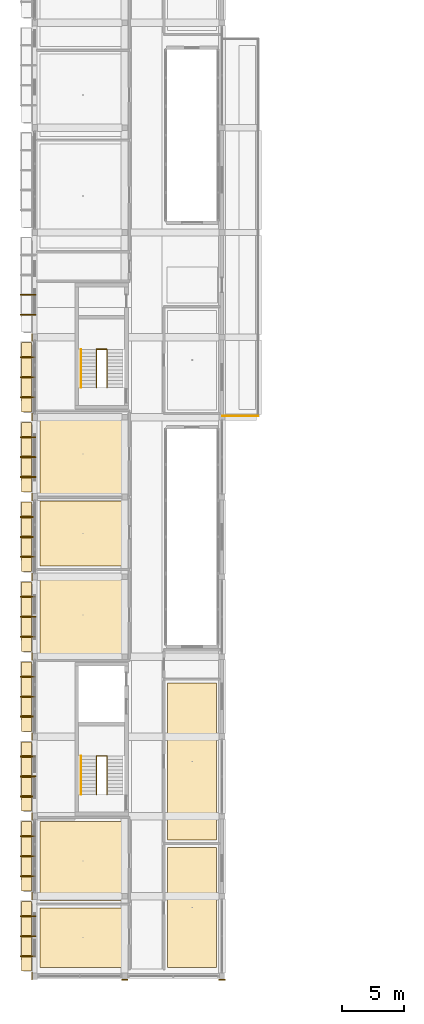
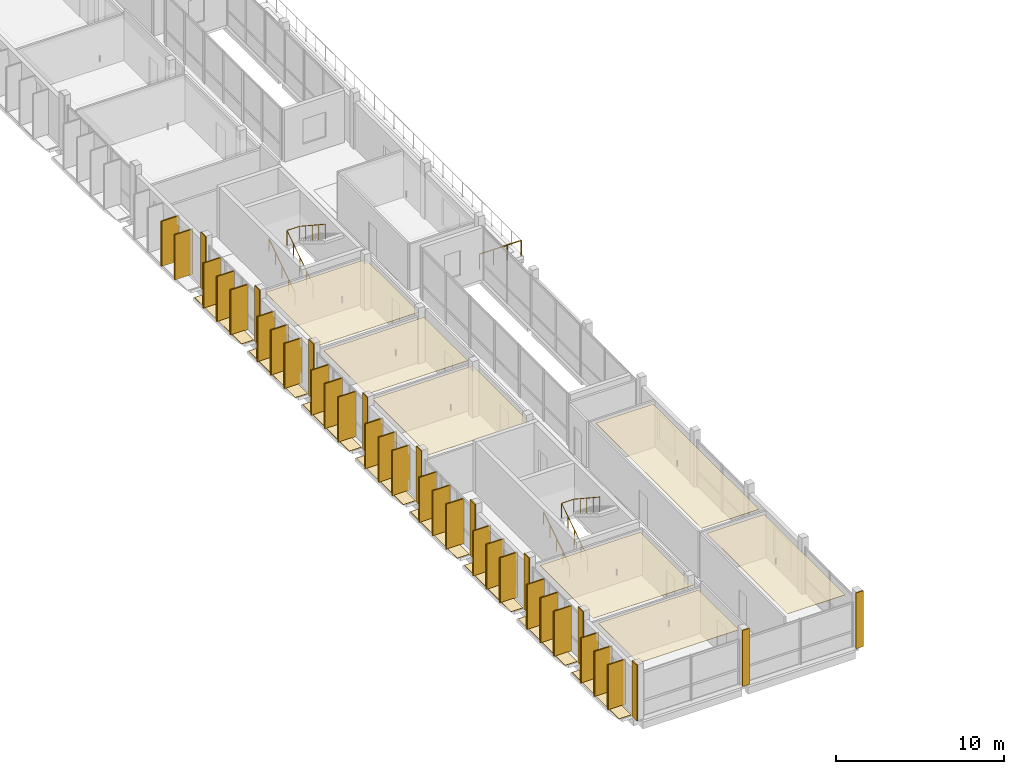
# One storey, part 41 of 48: 52 coverings, 26 shading devices, 5 railings.
"""IFC4 building model written with IfcOpenShell, lengths in metres."""

import ifcopenshell
import ifcopenshell.guid

model = None  # the IFC model being written
_history = None  # IfcOwnerHistory: only IFC2X3 demands one
_inside = {}  # id of a spatial element -> (the spatial element, [elements in it])
_under = {}  # id of a project, library or spatial element -> (it, [spatial elements below it])
_declared = {}  # id of a project -> (the project, [libraries it declares])
_typed = {}  # id of a type object -> (the type object, [elements of that type])
_made_of = {}  # id of a material, layer set ... -> (it, [elements and type objects made of it])


def new_model(schema):
    """Start an empty IFC model of exactly this schema.

    Asked for "IFC4X3", IfcOpenShell would pick the latest addendum, in which some entities
    have other attributes; the version numbers below select the first issue.
    IFC2X3 requires an IfcOwnerHistory on every rooted entity: one is made here for all.
    """
    global model, _history
    if schema == "IFC4X3":
        model = ifcopenshell.file(schema_version=(4, 3, 0, 0))
    else:
        model = ifcopenshell.file(schema=schema)
    _inside.clear()
    _under.clear()
    _declared.clear()
    _typed.clear()
    _made_of.clear()
    _history = None
    if model.schema == "IFC2X3":
        org = make("IfcOrganization", Name="unknown")
        user = make(
            "IfcPersonAndOrganization",
            ThePerson=make("IfcPerson", FamilyName="unknown"),
            TheOrganization=org,
        )
        app = make(
            "IfcApplication",
            ApplicationDeveloper=org,
            Version="unknown",
            ApplicationFullName="unknown",
            ApplicationIdentifier="unknown",
        )
        _history = make(
            "IfcOwnerHistory",
            OwningUser=user,
            OwningApplication=app,
            ChangeAction="ADDED",
            CreationDate=0,
        )
    return model


def make(cls, **values):
    """One entity of the class cls with the attributes given. An attribute that is None is left unset."""
    return model.create_entity(
        cls, **{name: value for name, value in values.items() if value is not None}
    )


def rooted(cls, **values):
    """An entity with a GlobalId (a new one), such as an element, a storey or a relation."""
    return make(cls, GlobalId=ifcopenshell.guid.new(), OwnerHistory=_history, **values)


def si_unit(unit_type, name, prefix=None):
    """IfcSIUnit, for example si_unit("LENGTHUNIT", "METRE", prefix="MILLI")."""
    return make("IfcSIUnit", UnitType=unit_type, Prefix=prefix, Name=name)


def derived_unit(unit_type, elements):
    """IfcDerivedUnit: a product of units, each with its exponent."""
    return make(
        "IfcDerivedUnit",
        Elements=[
            make("IfcDerivedUnitElement", Unit=unit, Exponent=power)
            for unit, power in elements
        ],
        UnitType=unit_type,
    )


def assignment(units):
    """IfcUnitAssignment: the units of a project."""
    return None if units is None else make("IfcUnitAssignment", Units=units)


def point(xyz):
    """IfcCartesianPoint."""
    return None if xyz is None else make("IfcCartesianPoint", Coordinates=xyz)


def direction(xyz):
    """IfcDirection."""
    return None if xyz is None else make("IfcDirection", DirectionRatios=xyz)


def frame(location, z_axis=None, x_axis=None):
    """IfcAxis2Placement3D, a coordinate frame: its origin and axes. An axis left out is left unset."""
    return make(
        "IfcAxis2Placement3D",
        Location=point(location),
        Axis=direction(z_axis),
        RefDirection=direction(x_axis),
    )


def frame_2d(location, x_axis=None):
    """IfcAxis2Placement2D, a coordinate frame in the plane: its origin and x axis."""
    return make(
        "IfcAxis2Placement2D", Location=point(location), RefDirection=direction(x_axis)
    )


def origin():
    """The frame at (0, 0, 0) with its axes left unset."""
    return frame((0.0, 0.0, 0.0))


def origin_2d():
    """The frame at (0, 0) in the plane with its x axis left unset."""
    return frame_2d((0.0, 0.0))


def place(relative_to, where):
    """IfcLocalPlacement: puts the frame where relative to a parent placement (None: the world)."""
    return make(
        "IfcLocalPlacement", PlacementRelTo=relative_to, RelativePlacement=where
    )


def context(
    kind, dimensions, precision=None, world=None, true_north=None, identifier=None
):
    """IfcGeometricRepresentationContext, for example the 3D "Model" context."""
    return make(
        "IfcGeometricRepresentationContext",
        ContextIdentifier=identifier,
        ContextType=kind,
        CoordinateSpaceDimension=dimensions,
        Precision=precision,
        WorldCoordinateSystem=world,
        TrueNorth=true_north,
    )


def subcontext(parent, identifier, kind, view, scale=None):
    """IfcGeometricRepresentationSubContext, for example "Body" below "Model"."""
    return make(
        "IfcGeometricRepresentationSubContext",
        ContextIdentifier=identifier,
        ContextType=kind,
        ParentContext=parent,
        TargetScale=scale,
        TargetView=view,
    )


def project(units=None, contexts=None):
    """IfcProject with its units and contexts."""
    return rooted(
        "IfcProject",
        Name="project",
        RepresentationContexts=contexts,
        UnitsInContext=assignment(units),
    )


def spatial(cls, under=None, at=None, **own):
    """A site, building, storey or space (cls), placed at a placement, below another one or the project."""
    s = rooted(cls, ObjectPlacement=at, **own)
    if under is not None:
        _under.setdefault(under.id(), (under, []))[1].append(s)
    return s


def polyline(points):
    """IfcPolyline through the points."""
    return make("IfcPolyline", Points=[point(p) for p in points])


def profile(cls, at=None, kind="AREA", **sizes):
    """A parametric profile (cls). Its sizes go by their IFC names, for example OverallWidth=200.0."""
    return make(cls, ProfileType=kind, Position=at, **sizes)


def rectangle(**sizes):
    """IfcRectangleProfileDef."""
    return profile("IfcRectangleProfileDef", **sizes)


def circle(**sizes):
    """IfcCircleProfileDef."""
    return profile("IfcCircleProfileDef", **sizes)


def outline(outer, holes=None, kind="AREA"):
    """IfcArbitraryClosedProfileDef: a profile drawn as a closed curve; with holes, ...WithVoids."""
    if holes is None:
        return make("IfcArbitraryClosedProfileDef", ProfileType=kind, OuterCurve=outer)
    return make(
        "IfcArbitraryProfileDefWithVoids",
        ProfileType=kind,
        OuterCurve=outer,
        InnerCurves=holes,
    )


def extrude(swept, where, along, depth):
    """IfcExtrudedAreaSolid: the profile swept, set in the frame where, extruded along a direction by depth."""
    return make(
        "IfcExtrudedAreaSolid",
        SweptArea=swept,
        Position=where,
        ExtrudedDirection=direction(along),
        Depth=depth,
    )


def shape(context_of_items, identifier, shape_type, items):
    """IfcShapeRepresentation: the items that make up one representation, for example the "Body"."""
    return make(
        "IfcShapeRepresentation",
        ContextOfItems=context_of_items,
        RepresentationIdentifier=identifier,
        RepresentationType=shape_type,
        Items=items,
    )


def material(Name=None, Category=None):
    """IfcMaterial."""
    return make("IfcMaterial", Name=Name, Category=Category)


def layer(
    of_material, thickness, ventilated=None, Name=None, Category=None, Priority=None
):
    """IfcMaterialLayer: one layer of a wall or slab, of a material (None: an air gap)."""
    return make(
        "IfcMaterialLayer",
        Material=of_material,
        LayerThickness=thickness,
        IsVentilated=ventilated,
        Name=Name,
        Category=Category,
        Priority=Priority,
    )


def layer_set(layers, Name=None):
    """IfcMaterialLayerSet."""
    return make("IfcMaterialLayerSet", MaterialLayers=layers, LayerSetName=Name)


def made_of(thing, what):
    """Note that an element or type object is made of a material, layer set ...; save() writes the relation."""
    if what is not None:
        _made_of.setdefault(what.id(), (what, []))[1].append(thing)
    return thing


def type_object(cls, material=None, **own):
    """A type object (cls), such as IfcWallType, which elements share."""
    return made_of(rooted(cls, **own), material)


def element(
    cls,
    number,
    at=None,
    inside=None,
    cuts=None,
    type_object=None,
    material=None,
    context=None,
    identifier="Body",
    shape_type=None,
    held_by="IfcProductDefinitionShape",
    body=None,
    shapes=None,
    **own,
):
    """One element of the class cls, such as IfcWall. Its Tag is "e" and its number.

    at: its placement. inside: the storey or other place that contains it. cuts: it is an
    opening in that element (IfcRelVoidsElement). A single representation is given by context,
    identifier, shape_type and body (its items); several are given by shapes. held_by: the class
    of the entity that holds the representations. save() writes the other relations.
    """
    e = rooted(cls, Tag="e%d" % number, ObjectPlacement=at, **own)
    if body is not None:
        shapes = [shape(context, identifier, shape_type, body)]
    if shapes is not None:
        e.Representation = make(held_by, Representations=shapes)
    if inside is not None:
        _inside.setdefault(inside.id(), (inside, []))[1].append(e)
    if cuts is not None:
        rooted(
            "IfcRelVoidsElement", RelatingBuildingElement=cuts, RelatedOpeningElement=e
        )
    if type_object is not None:
        _typed.setdefault(type_object.id(), (type_object, []))[1].append(e)
    return made_of(e, material)


def aggregate(whole, parts):
    """IfcRelAggregates: a whole, such as a stair, and the parts it consists of."""
    return rooted("IfcRelAggregates", RelatingObject=whole, RelatedObjects=parts)


def save(model, path):
    """Write the relations noted so far, then the file.

    IfcRelAggregates (storeys below a building ...), IfcRelContainedInSpatialStructure (elements
    in a storey), IfcRelDefinesByType, IfcRelAssociatesMaterial and IfcRelDeclares: one each for
    every whole, place, type object, material and project.
    """
    for whole, parts in _under.values():
        aggregate(whole, parts)
    for where, things in _inside.values():
        rooted(
            "IfcRelContainedInSpatialStructure",
            RelatedElements=things,
            RelatingStructure=where,
        )
    for kind, things in _typed.values():
        rooted("IfcRelDefinesByType", RelatedObjects=things, RelatingType=kind)
    for what, things in _made_of.values():
        rooted("IfcRelAssociatesMaterial", RelatedObjects=things, RelatingMaterial=what)
    for by, libraries in _declared.values():
        rooted("IfcRelDeclares", RelatingContext=by, RelatedDefinitions=libraries)
    model.write(path)


model = new_model("IFC4")

# Units and contexts
model_context = context("Model", 3, precision=1e-05, world=origin(), true_north=direction((0.0, 1.0)))
body_context = subcontext(model_context, "Body", "Model", "MODEL_VIEW")
ifc_project = project(units=[si_unit("LENGTHUNIT", "METRE"), si_unit("AREAUNIT", "SQUARE_METRE"), si_unit("VOLUMEUNIT", "CUBIC_METRE"), si_unit("PLANEANGLEUNIT", "RADIAN"), si_unit("MASSUNIT", "GRAM", prefix="KILO"), derived_unit("THERMALTRANSMITTANCEUNIT", [(si_unit("POWERUNIT", "WATT"), 1), (si_unit("LENGTHUNIT", "METRE"), -2), (si_unit("THERMODYNAMICTEMPERATUREUNIT", "KELVIN"), -1)])], contexts=[model_context])

# Site, building, storey
site_placement = place(None, origin())
site = spatial("IfcSite", under=ifc_project, at=site_placement, CompositionType="ELEMENT")
building_placement = place(site_placement, origin())
building = spatial("IfcBuilding", under=site, at=building_placement, Name="Braskholm Square Health Centre", CompositionType="ELEMENT")
storey_placement = place(building_placement, frame((0.0, 0.0, 17.550048828125)))
storey = spatial("IfcBuildingStorey", under=building, at=storey_placement, Name="L05", CompositionType="ELEMENT", Elevation=17.550048828125)

# Coverings
ifc_material_1 = material(Name="Fire-rated gypsum board barrier")
ifc_layer_1 = layer(ifc_material_1, 0.02490234375)
ifc_layer_set_1 = layer_set([ifc_layer_1], Name="Fire-rated gypsum board barrier")
covering_type_1 = type_object("IfcCoveringType", Name="AcousticClinicalCeilingTile", PredefinedType="CEILING", material=ifc_layer_set_1)
covering_1_placement = place(storey_placement, frame((0.0, 0.0, 3.35498046875)))
element("IfcCovering", 1, at=covering_1_placement, inside=storey, type_object=covering_type_1, Name="Acoustic ceiling L05-121", PredefinedType="CEILING", context=body_context, shape_type="SweptSolid", body=[
    extrude(outline(polyline([(4.6201171875, 4.89990234375), (11.5, 4.89990234375), (11.5, 9.669921875), (4.6201171875, 9.669921875), (4.6201171875, 4.89990234375)])), origin(), (0.0, 0.0, 1.0), 0.02490234375),
])
covering_2_placement = place(storey_placement, frame((0.0, 0.0, 3.3349609375)))
element("IfcCovering", 2, at=covering_2_placement, inside=storey, type_object=covering_type_1, Name="Acoustic ceiling L05-122", PredefinedType="CEILING", context=body_context, shape_type="SweptSolid", body=[
    extrude(outline(polyline([(4.6201171875, 10.27001953125), (11.5, 10.27001953125), (11.5, 16.60009765625), (4.6201171875, 16.60009765625), (4.6201171875, 10.27001953125)])), origin(), (0.0, 0.0, 1.0), 0.02490234375),
])
covering_3_placement = place(storey_placement, frame((0.0, 0.0, 3.3349609375)))
element("IfcCovering", 3, at=covering_3_placement, inside=storey, type_object=covering_type_1, Name="Acoustic ceiling L05-123", PredefinedType="CEILING", context=body_context, shape_type="SweptSolid", body=[
    extrude(outline(polyline([(4.6201171875, 29.800048828125), (11.5, 29.800048828125), (11.5, 36.47998046875), (4.6201171875, 36.47998046875), (4.6201171875, 29.800048828125)])), origin(), (0.0, 0.0, 1.0), 0.02490234375),
])
covering_4_placement = place(storey_placement, frame((0.0, 0.0, 3.3349609375)))
element("IfcCovering", 4, at=covering_4_placement, inside=storey, type_object=covering_type_1, Name="Acoustic ceiling L05-124", PredefinedType="CEILING", context=body_context, shape_type="SweptSolid", body=[
    extrude(outline(polyline([(4.6201171875, 37.080078125), (11.5, 37.080078125), (11.5, 42.280029296875), (4.6201171875, 42.280029296875), (4.6201171875, 37.080078125)])), origin(), (0.0, 0.0, 1.0), 0.02490234375),
])
covering_5_placement = place(storey_placement, frame((0.0, 0.0, 3.3349609375)))
element("IfcCovering", 5, at=covering_5_placement, inside=storey, type_object=covering_type_1, Name="Acoustic ceiling L05-125", PredefinedType="CEILING", context=body_context, shape_type="SweptSolid", body=[
    extrude(outline(polyline([(4.6201171875, 42.8798828125), (11.5, 42.8798828125), (11.5, 49.199951171875), (4.6201171875, 49.199951171875), (4.6201171875, 42.8798828125)])), origin(), (0.0, 0.0, 1.0), 0.02490234375),
])
covering_6_placement = place(storey_placement, frame((0.0, 0.0, 3.3349609375)))
element("IfcCovering", 6, at=covering_6_placement, inside=storey, type_object=covering_type_1, Name="Acoustic ceiling L05-133", PredefinedType="CEILING", context=body_context, shape_type="SweptSolid", body=[
    extrude(outline(polyline([(14.85009765625, 4.89990234375), (18.780029296875, 4.89990234375), (18.780029296875, 14.52001953125), (14.85009765625, 14.52001953125), (14.85009765625, 4.89990234375)])), origin(), (0.0, 0.0, 1.0), 0.02490234375),
])
covering_7_placement = place(storey_placement, frame((0.0, 0.0, 3.3349609375)))
element("IfcCovering", 7, at=covering_7_placement, inside=storey, type_object=covering_type_1, Name="Acoustic ceiling L05-134", PredefinedType="CEILING", context=body_context, shape_type="SweptSolid", body=[
    extrude(outline(polyline([(14.85009765625, 15.1201171875), (18.780029296875, 15.1201171875), (18.780029296875, 27.699951171875), (14.85009765625, 27.699951171875), (14.85009765625, 15.1201171875)])), origin(), (0.0, 0.0, 1.0), 0.02490234375),
])

# Railings
ifc_material_2 = material(Name="Dark patinated chevron architectural bronze", Category="aluminium")
railing_type_1 = type_object("IfcRailingType", Name="BronzeChevronGuardrail1100", PredefinedType="GUARDRAIL", material=ifc_material_2)
railing_1_placement = place(storey_placement, frame((9.1298828125, 18.760009765625, 0.0)))
element("IfcRailing", 8, at=railing_1_placement, inside=storey, type_object=railing_type_1, Name="Stair ST-01 inner well guardrail L05", PredefinedType="GUARDRAIL", context=body_context, shape_type="SweptSolid", body=[
    extrude(circle(Radius=0.02392578125, at=origin_2d()), frame((0.0, 0.0, 1.076171875), z_axis=(0.0, 0.835599505946, 0.549339117178), x_axis=(-1.0, 0.0, 0.0)), (0.0, 0.0, 1.0), 3.68603515625),
    extrude(circle(Radius=0.02392578125, at=origin_2d()), frame((0.0, 3.080078125, 3.10107421875), z_axis=(1.0, 0.0, 0.0), x_axis=(0.0, 1.0, 0.0)), (0.0, 0.0, 1.0), 0.840087890625),
    extrude(circle(Radius=0.02392578125, at=origin_2d()), frame((0.840087890625, 3.080078125, 3.10107421875), z_axis=(0.0, -0.83556910286, 0.549385360512), x_axis=(1.0, 0.0, 0.0)), (0.0, 0.0, 1.0), 3.686279296875),
    extrude(circle(Radius=0.02099609375, at=origin_2d()), origin(), (0.0, 0.0, 1.0), 1.052001953125),
    extrude(circle(Radius=0.02099609375, at=origin_2d()), frame((0.0, 0.77001953125, 0.50634765625)), (0.0, 0.0, 1.0), 1.052001953125),
    extrude(circle(Radius=0.02099609375, at=origin_2d()), frame((0.0, 1.5400390625, 1.012451171875)), (0.0, 0.0, 1.0), 1.052001953125),
    extrude(circle(Radius=0.02099609375, at=origin_2d()), frame((0.0, 2.31005859375, 1.5185546875)), (0.0, 0.0, 1.0), 1.052001953125),
    extrude(circle(Radius=0.02099609375, at=origin_2d()), frame((0.0, 3.080078125, 2.02490234375)), (0.0, 0.0, 1.0), 1.052001953125),
    extrude(circle(Radius=0.02099609375, at=origin_2d()), frame((0.840087890625, 3.080078125, 2.02490234375)), (0.0, 0.0, 1.0), 1.052001953125),
    extrude(circle(Radius=0.02099609375, at=origin_2d()), frame((0.840087890625, 2.31005859375, 2.53125)), (0.0, 0.0, 1.0), 1.052001953125),
    extrude(circle(Radius=0.02099609375, at=origin_2d()), frame((0.840087890625, 1.5400390625, 3.03759765625)), (0.0, 0.0, 1.0), 1.052001953125),
    extrude(circle(Radius=0.02099609375, at=origin_2d()), frame((0.840087890625, 0.77001953125, 3.543701171875)), (0.0, 0.0, 1.0), 1.052001953125),
    extrude(circle(Radius=0.02099609375, at=origin_2d()), frame((0.840087890625, 0.0, 4.050048828125)), (0.0, 0.0, 1.0), 1.052001953125),
])
railing_2_placement = place(storey_placement, frame((9.1298828125, 51.360107421875, 0.0)))
element("IfcRailing", 9, at=railing_2_placement, inside=storey, type_object=railing_type_1, Name="Stair ST-02 inner well guardrail L05", PredefinedType="GUARDRAIL", context=body_context, shape_type="SweptSolid", body=[
    extrude(circle(Radius=0.02392578125, at=origin_2d()), frame((0.0, 0.0, 1.076171875), z_axis=(0.0, 0.83557951683, 0.54936952141), x_axis=(-1.0, 0.0, 0.0)), (0.0, 0.0, 1.0), 3.685791015625),
    extrude(circle(Radius=0.02392578125, at=origin_2d()), frame((0.0, 3.079833984375, 3.10107421875), z_axis=(1.0, 0.0, 0.0), x_axis=(0.0, 1.0, 0.0)), (0.0, 0.0, 1.0), 0.840087890625),
    extrude(circle(Radius=0.02392578125, at=origin_2d()), frame((0.840087890625, 3.079833984375, 3.10107421875), z_axis=(0.0, -0.835549111106, 0.549415765091), x_axis=(1.0, 0.0, 0.0)), (0.0, 0.0, 1.0), 3.68603515625),
    extrude(circle(Radius=0.02099609375, at=origin_2d()), origin(), (0.0, 0.0, 1.0), 1.052001953125),
    extrude(circle(Radius=0.02099609375, at=origin_2d()), frame((0.0, 0.77001953125, 0.50634765625)), (0.0, 0.0, 1.0), 1.052001953125),
    extrude(circle(Radius=0.02099609375, at=origin_2d()), frame((0.0, 1.5400390625, 1.012451171875)), (0.0, 0.0, 1.0), 1.052001953125),
    extrude(circle(Radius=0.02099609375, at=origin_2d()), frame((0.0, 2.309814453125, 1.5185546875)), (0.0, 0.0, 1.0), 1.052001953125),
    extrude(circle(Radius=0.02099609375, at=origin_2d()), frame((0.0, 3.079833984375, 2.02490234375)), (0.0, 0.0, 1.0), 1.052001953125),
    extrude(circle(Radius=0.02099609375, at=origin_2d()), frame((0.840087890625, 3.079833984375, 2.02490234375)), (0.0, 0.0, 1.0), 1.052001953125),
    extrude(circle(Radius=0.02099609375, at=origin_2d()), frame((0.840087890625, 2.309814453125, 2.53125)), (0.0, 0.0, 1.0), 1.052001953125),
    extrude(circle(Radius=0.02099609375, at=origin_2d()), frame((0.840087890625, 1.5400390625, 3.03759765625)), (0.0, 0.0, 1.0), 1.052001953125),
    extrude(circle(Radius=0.02099609375, at=origin_2d()), frame((0.840087890625, 0.77001953125, 3.543701171875)), (0.0, 0.0, 1.0), 1.052001953125),
    extrude(circle(Radius=0.02099609375, at=origin_2d()), frame((0.840087890625, 0.0, 4.050048828125)), (0.0, 0.0, 1.0), 1.052001953125),
])
railing_3_placement = place(storey_placement, frame((19.25, 49.10009765625, 0.0)))
element("IfcRailing", 10, at=railing_3_placement, inside=storey, type_object=railing_type_1, Name="Bronze chevron guardrail 0047 L05", PredefinedType="GUARDRAIL", context=body_context, shape_type="SweptSolid", body=[
    extrude(circle(Radius=0.02392578125, at=origin_2d()), frame((0.0, 0.0, 1.076171875), z_axis=(1.0, 0.0, 0.0), x_axis=(0.0, 1.0, 0.0)), (0.0, 0.0, 1.0), 2.85009765625),
    extrude(circle(Radius=0.02099609375, at=origin_2d()), origin(), (0.0, 0.0, 1.0), 1.052001953125),
    extrude(circle(Radius=0.02099609375, at=origin_2d()), frame((0.949951171875, 0.0, 0.0)), (0.0, 0.0, 1.0), 1.052001953125),
    extrude(circle(Radius=0.02099609375, at=origin_2d()), frame((1.900146484375, 0.0, 0.0)), (0.0, 0.0, 1.0), 1.052001953125),
    extrude(circle(Radius=0.02099609375, at=origin_2d()), frame((2.85009765625, 0.0, 0.0)), (0.0, 0.0, 1.0), 1.052001953125),
])

# Shading devices
ifc_material_3 = material(Name="Thermally modified western red cedar with bronze trim", Category="wood")
shading_device_type = type_object("IfcShadingDeviceType", Name="CedarBronzeShadingFin1250", PredefinedType="USERDEFINED", material=ifc_material_3)
for number, where, z_axis, x_axis, name in (
    (11, (3.635009765625, 5.800048828125, 0.0), (0.0, 0.0, 1.0), (1.0, 0.0, 0.0), "Warm cedar-bronze vertical shading slat 0154"),
    (12, (3.635009765625, 7.39990234375, 0.0), (0.0, 0.0, 1.0), (1.0, 0.0, 0.0), "Warm cedar-bronze vertical shading slat 0155"),
    (13, (3.635009765625, 9.0, 0.0), (0.0, 0.0, 1.0), (1.0, 0.0, 0.0), "Warm cedar-bronze vertical shading slat 0156"),
    (14, (3.635009765625, 12.199951171875, 0.0), (0.0, 0.0, 1.0), (1.0, 0.0, 0.0), "Warm cedar-bronze vertical shading slat 0157"),
    (15, (3.635009765625, 13.800048828125, 0.0), (0.0, 0.0, 1.0), (1.0, 0.0, 0.0), "Warm cedar-bronze vertical shading slat 0158"),
    (16, (3.635009765625, 15.39990234375, 0.0), (0.0, 0.0, 1.0), (1.0, 0.0, 0.0), "Warm cedar-bronze vertical shading slat 0159"),
    (17, (3.635009765625, 18.60009765625, 0.0), (0.0, 0.0, 1.0), (1.0, 0.0, 0.0), "Warm cedar-bronze vertical shading slat 0160"),
    (18, (3.635009765625, 20.199951171875, 0.0), (0.0, 0.0, 1.0), (1.0, 0.0, 0.0), "Warm cedar-bronze vertical shading slat 0161"),
    (19, (3.635009765625, 21.800048828125, 0.0), (0.0, 0.0, 1.0), (1.0, 0.0, 0.0), "Warm cedar-bronze vertical shading slat 0162"),
    (20, (3.635009765625, 25.0, 0.0), (0.0, 0.0, 1.0), (1.0, 0.0, 0.0), "Warm cedar-bronze vertical shading slat 0163"),
    (21, (3.635009765625, 26.60009765625, 0.0), (0.0, 0.0, 1.0), (1.0, 0.0, 0.0), "Warm cedar-bronze vertical shading slat 0164"),
    (22, (3.635009765625, 28.199951171875, 0.0), (0.0, 0.0, 1.0), (1.0, 0.0, 0.0), "Warm cedar-bronze vertical shading slat 0165"),
    (23, (3.635009765625, 31.39990234375, 0.0), (0.0, 0.0, 1.0), (1.0, 0.0, 0.0), "Warm cedar-bronze vertical shading slat 0166"),
    (24, (3.635009765625, 33.0, 0.0), (0.0, 0.0, 1.0), (1.0, 0.0, 0.0), "Warm cedar-bronze vertical shading slat 0167"),
    (25, (3.635009765625, 34.60009765625, 0.0), (0.0, 0.0, 1.0), (1.0, 0.0, 0.0), "Warm cedar-bronze vertical shading slat 0168"),
    (26, (3.635009765625, 37.800048828125, 0.0), (0.0, 0.0, 1.0), (1.0, 0.0, 0.0), "Warm cedar-bronze vertical shading slat 0169"),
    (27, (3.635009765625, 39.39990234375, 0.0), (0.0, 0.0, 1.0), (1.0, 0.0, 0.0), "Warm cedar-bronze vertical shading slat 0170"),
    (28, (3.635009765625, 41.0, 0.0), (0.0, 0.0, 1.0), (1.0, 0.0, 0.0), "Warm cedar-bronze vertical shading slat 0171"),
    (29, (3.635009765625, 44.199951171875, 0.0), (0.0, 0.0, 1.0), (1.0, 0.0, 0.0), "Warm cedar-bronze vertical shading slat 0172"),
    (30, (3.635009765625, 45.800048828125, 0.0), (0.0, 0.0, 1.0), (1.0, 0.0, 0.0), "Warm cedar-bronze vertical shading slat 0173"),
    (31, (3.635009765625, 47.39990234375, 0.0), (0.0, 0.0, 1.0), (1.0, 0.0, 0.0), "Warm cedar-bronze vertical shading slat 0174"),
    (32, (3.635009765625, 50.60009765625, 0.0), (0.0, 0.0, 1.0), (1.0, 0.0, 0.0), "Warm cedar-bronze vertical shading slat 0175"),
    (33, (3.635009765625, 52.199951171875, 0.0), (0.0, 0.0, 1.0), (1.0, 0.0, 0.0), "Warm cedar-bronze vertical shading slat 0176"),
    (34, (3.635009765625, 53.800048828125, 0.0), (0.0, 0.0, 1.0), (1.0, 0.0, 0.0), "Warm cedar-bronze vertical shading slat 0177"),
    (35, (3.635009765625, 57.199951171875, 0.0), (0.0, 0.0, 1.0), (1.0, 0.0, 0.0), "Warm cedar-bronze vertical shading slat 0178"),
    (36, (3.635009765625, 58.800048828125, 0.0), (0.0, 0.0, 1.0), (1.0, 0.0, 0.0), "Warm cedar-bronze vertical shading slat 0179"),
):
    element("IfcShadingDevice", number, at=place(storey_placement, frame(where, z_axis=z_axis, x_axis=x_axis)), inside=storey, type_object=shading_device_type, Name=name, ObjectType="FIN", PredefinedType="USERDEFINED", context=body_context, shape_type="SweptSolid", body=[
        extrude(rectangle(XDim=1.25, YDim=0.0849609375, at=origin_2d()), origin(), (0.0, 0.0, 1.0), 3.27001953125),
    ])

# Coverings
ifc_layer_2 = layer(ifc_material_3, 0.0849609375)
ifc_layer_set_2 = layer_set([ifc_layer_2], Name="Thermally modified western red cedar with bronze trim")
covering_type_2 = type_object("IfcCoveringType", Name="CedarBronzeSlatCladding", PredefinedType="CLADDING", material=ifc_layer_set_2)
for number, where, z_axis, x_axis, name in (
    (37, (3.6298828125, 5.800048828125, 0.0), (0.0, 0.0, 1.0), (1.0, 0.0, 0.0), "Cedar-bronze shading slat trim 0597"),
    (38, (3.6298828125, 7.39990234375, 0.0), (0.0, 0.0, 1.0), (1.0, 0.0, 0.0), "Cedar-bronze shading slat trim 0598"),
    (39, (3.6298828125, 9.0, 0.0), (0.0, 0.0, 1.0), (1.0, 0.0, 0.0), "Cedar-bronze shading slat trim 0599"),
    (40, (3.6298828125, 12.199951171875, 0.0), (0.0, 0.0, 1.0), (1.0, 0.0, 0.0), "Cedar-bronze shading slat trim 0601"),
    (41, (3.6298828125, 13.800048828125, 0.0), (0.0, 0.0, 1.0), (1.0, 0.0, 0.0), "Cedar-bronze shading slat trim 0602"),
    (42, (3.6298828125, 15.39990234375, 0.0), (0.0, 0.0, 1.0), (1.0, 0.0, 0.0), "Cedar-bronze shading slat trim 0603"),
    (43, (3.6298828125, 18.60009765625, 0.0), (0.0, 0.0, 1.0), (1.0, 0.0, 0.0), "Cedar-bronze shading slat trim 0605"),
    (44, (3.6298828125, 20.199951171875, 0.0), (0.0, 0.0, 1.0), (1.0, 0.0, 0.0), "Cedar-bronze shading slat trim 0606"),
    (45, (3.6298828125, 21.800048828125, 0.0), (0.0, 0.0, 1.0), (1.0, 0.0, 0.0), "Cedar-bronze shading slat trim 0607"),
    (46, (3.6298828125, 25.0, 0.0), (0.0, 0.0, 1.0), (1.0, 0.0, 0.0), "Cedar-bronze shading slat trim 0609"),
    (47, (3.6298828125, 26.60009765625, 0.0), (0.0, 0.0, 1.0), (1.0, 0.0, 0.0), "Cedar-bronze shading slat trim 0610"),
    (48, (3.6298828125, 28.199951171875, 0.0), (0.0, 0.0, 1.0), (1.0, 0.0, 0.0), "Cedar-bronze shading slat trim 0611"),
    (49, (3.6298828125, 31.39990234375, 0.0), (0.0, 0.0, 1.0), (1.0, 0.0, 0.0), "Cedar-bronze shading slat trim 0613"),
    (50, (3.6298828125, 33.0, 0.0), (0.0, 0.0, 1.0), (1.0, 0.0, 0.0), "Cedar-bronze shading slat trim 0614"),
    (51, (3.6298828125, 34.60009765625, 0.0), (0.0, 0.0, 1.0), (1.0, 0.0, 0.0), "Cedar-bronze shading slat trim 0615"),
    (52, (3.6298828125, 37.800048828125, 0.0), (0.0, 0.0, 1.0), (1.0, 0.0, 0.0), "Cedar-bronze shading slat trim 0617"),
    (53, (3.6298828125, 39.39990234375, 0.0), (0.0, 0.0, 1.0), (1.0, 0.0, 0.0), "Cedar-bronze shading slat trim 0618"),
    (54, (3.6298828125, 41.0, 0.0), (0.0, 0.0, 1.0), (1.0, 0.0, 0.0), "Cedar-bronze shading slat trim 0619"),
    (55, (3.6298828125, 44.199951171875, 0.0), (0.0, 0.0, 1.0), (1.0, 0.0, 0.0), "Cedar-bronze shading slat trim 0621"),
    (56, (3.6298828125, 45.800048828125, 0.0), (0.0, 0.0, 1.0), (1.0, 0.0, 0.0), "Cedar-bronze shading slat trim 0622"),
    (57, (3.6298828125, 47.39990234375, 0.0), (0.0, 0.0, 1.0), (1.0, 0.0, 0.0), "Cedar-bronze shading slat trim 0623"),
    (58, (3.6298828125, 50.60009765625, 0.0), (0.0, 0.0, 1.0), (1.0, 0.0, 0.0), "Cedar-bronze shading slat trim 0625"),
    (59, (3.6298828125, 52.199951171875, 0.0), (0.0, 0.0, 1.0), (1.0, 0.0, 0.0), "Cedar-bronze shading slat trim 0626"),
    (60, (3.6298828125, 53.800048828125, 0.0), (0.0, 0.0, 1.0), (1.0, 0.0, 0.0), "Cedar-bronze shading slat trim 0627"),
    (61, (3.6298828125, 57.199951171875, 0.0), (0.0, 0.0, 1.0), (1.0, 0.0, 0.0), "Cedar-bronze shading slat trim 0629"),
    (62, (3.6298828125, 58.800048828125, 0.0), (0.0, 0.0, 1.0), (1.0, 0.0, 0.0), "Cedar-bronze shading slat trim 0630"),
):
    element("IfcCovering", number, at=place(storey_placement, frame(where, z_axis=z_axis, x_axis=x_axis)), inside=storey, type_object=covering_type_2, Name=name, PredefinedType="CLADDING", context=body_context, shape_type="SweptSolid", body=[
        extrude(rectangle(XDim=1.179931640625, YDim=0.094970703125, at=origin_2d()), origin(), (0.0, 0.0, 1.0), 3.27001953125),
    ])
ifc_material_4 = material(Name="Intensive botanical sedum and native prairie garden bed")
ifc_layer_3 = layer(ifc_material_4, 0.02490234375)
ifc_layer_set_3 = layer_set([ifc_layer_3], Name="Intensive botanical sedum and native prairie garden bed")
covering_type_3 = type_object("IfcCoveringType", Name="PlantedTerraceGardenBed", PredefinedType="ROOFING", material=ifc_layer_set_3)
covering_8_placement = place(storey_placement, origin())
element("IfcCovering", 63, at=covering_8_placement, inside=storey, type_object=covering_type_3, Name="West floor planter ledge sedum strip 0600", PredefinedType="ROOFING", context=body_context, shape_type="SweptSolid", body=[
    extrude(outline(polyline([(3.1201171875, 4.6201171875), (3.949951171875, 4.6201171875), (3.949951171875, 10.179931640625), (3.1201171875, 10.179931640625), (3.1201171875, 4.6201171875)])), origin(), (0.0, 0.0, 1.0), 0.02490234375),
])
covering_9_placement = place(storey_placement, origin())
element("IfcCovering", 64, at=covering_9_placement, inside=storey, type_object=covering_type_3, Name="West floor planter ledge sedum strip 0604", PredefinedType="ROOFING", context=body_context, shape_type="SweptSolid", body=[
    extrude(outline(polyline([(3.1201171875, 11.02001953125), (3.949951171875, 11.02001953125), (3.949951171875, 16.580078125), (3.1201171875, 16.580078125), (3.1201171875, 11.02001953125)])), origin(), (0.0, 0.0, 1.0), 0.02490234375),
])
covering_10_placement = place(storey_placement, origin())
element("IfcCovering", 65, at=covering_10_placement, inside=storey, type_object=covering_type_3, Name="West floor planter ledge sedum strip 0608", PredefinedType="ROOFING", context=body_context, shape_type="SweptSolid", body=[
    extrude(outline(polyline([(3.1201171875, 17.419921875), (3.949951171875, 17.419921875), (3.949951171875, 22.97998046875), (3.1201171875, 22.97998046875), (3.1201171875, 17.419921875)])), origin(), (0.0, 0.0, 1.0), 0.02490234375),
])
covering_11_placement = place(storey_placement, origin())
element("IfcCovering", 66, at=covering_11_placement, inside=storey, type_object=covering_type_3, Name="West floor planter ledge sedum strip 0612", PredefinedType="ROOFING", context=body_context, shape_type="SweptSolid", body=[
    extrude(outline(polyline([(3.1201171875, 23.820068359375), (3.949951171875, 23.820068359375), (3.949951171875, 29.3798828125), (3.1201171875, 29.3798828125), (3.1201171875, 23.820068359375)])), origin(), (0.0, 0.0, 1.0), 0.02490234375),
])
covering_12_placement = place(storey_placement, origin())
element("IfcCovering", 67, at=covering_12_placement, inside=storey, type_object=covering_type_3, Name="West floor planter ledge sedum strip 0616", PredefinedType="ROOFING", context=body_context, shape_type="SweptSolid", body=[
    extrude(outline(polyline([(3.1201171875, 30.219970703125), (3.949951171875, 30.219970703125), (3.949951171875, 35.780029296875), (3.1201171875, 35.780029296875), (3.1201171875, 30.219970703125)])), origin(), (0.0, 0.0, 1.0), 0.02490234375),
])
covering_13_placement = place(storey_placement, origin())
element("IfcCovering", 68, at=covering_13_placement, inside=storey, type_object=covering_type_3, Name="West floor planter ledge sedum strip 0620", PredefinedType="ROOFING", context=body_context, shape_type="SweptSolid", body=[
    extrude(outline(polyline([(3.1201171875, 36.6201171875), (3.949951171875, 36.6201171875), (3.949951171875, 42.179931640625), (3.1201171875, 42.179931640625), (3.1201171875, 36.6201171875)])), origin(), (0.0, 0.0, 1.0), 0.02490234375),
])
covering_14_placement = place(storey_placement, origin())
element("IfcCovering", 69, at=covering_14_placement, inside=storey, type_object=covering_type_3, Name="West floor planter ledge sedum strip 0624", PredefinedType="ROOFING", context=body_context, shape_type="SweptSolid", body=[
    extrude(outline(polyline([(3.1201171875, 43.02001953125), (3.949951171875, 43.02001953125), (3.949951171875, 48.580078125), (3.1201171875, 48.580078125), (3.1201171875, 43.02001953125)])), origin(), (0.0, 0.0, 1.0), 0.02490234375),
])
covering_15_placement = place(storey_placement, origin())
element("IfcCovering", 70, at=covering_15_placement, inside=storey, type_object=covering_type_3, Name="West floor planter ledge sedum strip 0628", PredefinedType="ROOFING", context=body_context, shape_type="SweptSolid", body=[
    extrude(outline(polyline([(3.1201171875, 49.419921875), (3.949951171875, 49.419921875), (3.949951171875, 54.97998046875), (3.1201171875, 54.97998046875), (3.1201171875, 49.419921875)])), origin(), (0.0, 0.0, 1.0), 0.02490234375),
])
ifc_material_5 = material(Name="Precast concrete C40/50 architectural white", Category="concrete")
ifc_layer_4 = layer(ifc_material_5, 0.054931640625)
ifc_layer_set_4 = layer_set([ifc_layer_4], Name="Precast concrete C40/50 architectural white")
covering_type_4 = type_object("IfcCoveringType", Name="PrecastWhiteColumnCasing", PredefinedType="CLADDING", material=ifc_layer_set_4)
for number, where, z_axis, x_axis, name in (
    (71, (3.965087890625, 4.199951171875, 0.0), (0.0, 0.0, 1.0), (1.0, 0.0, 0.0), "Giant-order white precast column casing 0005"),
    (72, (3.965087890625, 10.60009765625, 0.0), (0.0, 0.0, 1.0), (1.0, 0.0, 0.0), "Giant-order white precast column casing 0014"),
    (73, (3.965087890625, 17.0, 0.0), (0.0, 0.0, 1.0), (1.0, 0.0, 0.0), "Giant-order white precast column casing 0023"),
    (74, (3.965087890625, 23.39990234375, 0.0), (0.0, 0.0, 1.0), (1.0, 0.0, 0.0), "Giant-order white precast column casing 0032"),
    (75, (3.965087890625, 29.800048828125, 0.0), (0.0, 0.0, 1.0), (1.0, 0.0, 0.0), "Giant-order white precast column casing 0041"),
    (76, (3.965087890625, 36.199951171875, 0.0), (0.0, 0.0, 1.0), (1.0, 0.0, 0.0), "Giant-order white precast column casing 0050"),
    (77, (3.965087890625, 42.60009765625, 0.0), (0.0, 0.0, 1.0), (1.0, 0.0, 0.0), "Giant-order white precast column casing 0059"),
    (78, (3.965087890625, 49.0, 0.0), (0.0, 0.0, 1.0), (1.0, 0.0, 0.0), "Giant-order white precast column casing 0068"),
    (79, (3.965087890625, 55.39990234375, 0.0), (0.0, 0.0, 1.0), (1.0, 0.0, 0.0), "Giant-order white precast column casing 0077"),
):
    element("IfcCovering", number, at=place(storey_placement, frame(where, z_axis=z_axis, x_axis=x_axis)), inside=storey, type_object=covering_type_4, Name=name, PredefinedType="CLADDING", context=body_context, shape_type="SweptSolid", body=[
        extrude(rectangle(XDim=0.06005859375, YDim=0.60009765625, at=origin_2d()), origin(), (0.0, 0.0, 1.0), 4.050048828125),
    ])
for number, where, z_axis, x_axis, name in (
    (80, (11.39990234375, 3.9150390625, 0.0), (0.0, 0.0, 1.0), (1.0, 0.0, 0.0), "Giant-order white precast column casing 0158"),
    (81, (19.199951171875, 3.9150390625, 0.0), (0.0, 0.0, 1.0), (1.0, 0.0, 0.0), "Giant-order white precast column casing 0170"),
):
    element("IfcCovering", number, at=place(storey_placement, frame(where, z_axis=z_axis, x_axis=x_axis)), inside=storey, type_object=covering_type_4, Name=name, PredefinedType="CLADDING", context=body_context, shape_type="SweptSolid", body=[
        extrude(rectangle(XDim=0.5, YDim=0.06005859375, at=origin_2d()), origin(), (0.0, 0.0, 1.0), 4.050048828125),
    ])

# Railings
railing_type_2 = type_object("IfcRailingType", Name="StairTubularHandrail915", PredefinedType="HANDRAIL", material=ifc_material_2)
railing_4_placement = place(storey_placement, frame((7.89990234375, 18.760009765625, 0.0)))
element("IfcRailing", 82, at=railing_4_placement, inside=storey, type_object=railing_type_2, Name="Stair ST-01 wall handrail F1 L05", PredefinedType="HANDRAIL", context=body_context, shape_type="SweptSolid", body=[
    extrude(circle(Radius=0.02392578125, at=origin_2d()), frame((0.0, 0.0, 0.89111328125), z_axis=(0.0, 0.835599505946, 0.549339117178), x_axis=(-1.0, 0.0, 0.0)), (0.0, 0.0, 1.0), 3.68603515625),
    extrude(circle(Radius=0.02099609375, at=origin_2d()), origin(), (0.0, 0.0, 1.0), 0.866943359375),
    extrude(circle(Radius=0.02099609375, at=origin_2d()), frame((0.0, 0.77001953125, 0.50634765625)), (0.0, 0.0, 1.0), 0.866943359375),
    extrude(circle(Radius=0.02099609375, at=origin_2d()), frame((0.0, 1.5400390625, 1.012451171875)), (0.0, 0.0, 1.0), 0.866943359375),
    extrude(circle(Radius=0.02099609375, at=origin_2d()), frame((0.0, 2.31005859375, 1.5185546875)), (0.0, 0.0, 1.0), 0.866943359375),
    extrude(circle(Radius=0.02099609375, at=origin_2d()), frame((0.0, 3.080078125, 2.02490234375)), (0.0, 0.0, 1.0), 0.866943359375),
])
railing_5_placement = place(storey_placement, frame((7.89990234375, 51.360107421875, 0.0)))
element("IfcRailing", 83, at=railing_5_placement, inside=storey, type_object=railing_type_2, Name="Stair ST-02 wall handrail F1 L05", PredefinedType="HANDRAIL", context=body_context, shape_type="SweptSolid", body=[
    extrude(circle(Radius=0.02392578125, at=origin_2d()), frame((0.0, 0.0, 0.89111328125), z_axis=(0.0, 0.83557951683, 0.54936952141), x_axis=(-1.0, 0.0, 0.0)), (0.0, 0.0, 1.0), 3.685791015625),
    extrude(circle(Radius=0.02099609375, at=origin_2d()), origin(), (0.0, 0.0, 1.0), 0.866943359375),
    extrude(circle(Radius=0.02099609375, at=origin_2d()), frame((0.0, 0.77001953125, 0.50634765625)), (0.0, 0.0, 1.0), 0.866943359375),
    extrude(circle(Radius=0.02099609375, at=origin_2d()), frame((0.0, 1.5400390625, 1.012451171875)), (0.0, 0.0, 1.0), 0.866943359375),
    extrude(circle(Radius=0.02099609375, at=origin_2d()), frame((0.0, 2.309814453125, 1.5185546875)), (0.0, 0.0, 1.0), 0.866943359375),
    extrude(circle(Radius=0.02099609375, at=origin_2d()), frame((0.0, 3.079833984375, 2.02490234375)), (0.0, 0.0, 1.0), 0.866943359375),
])

save(model, "model.ifc")
